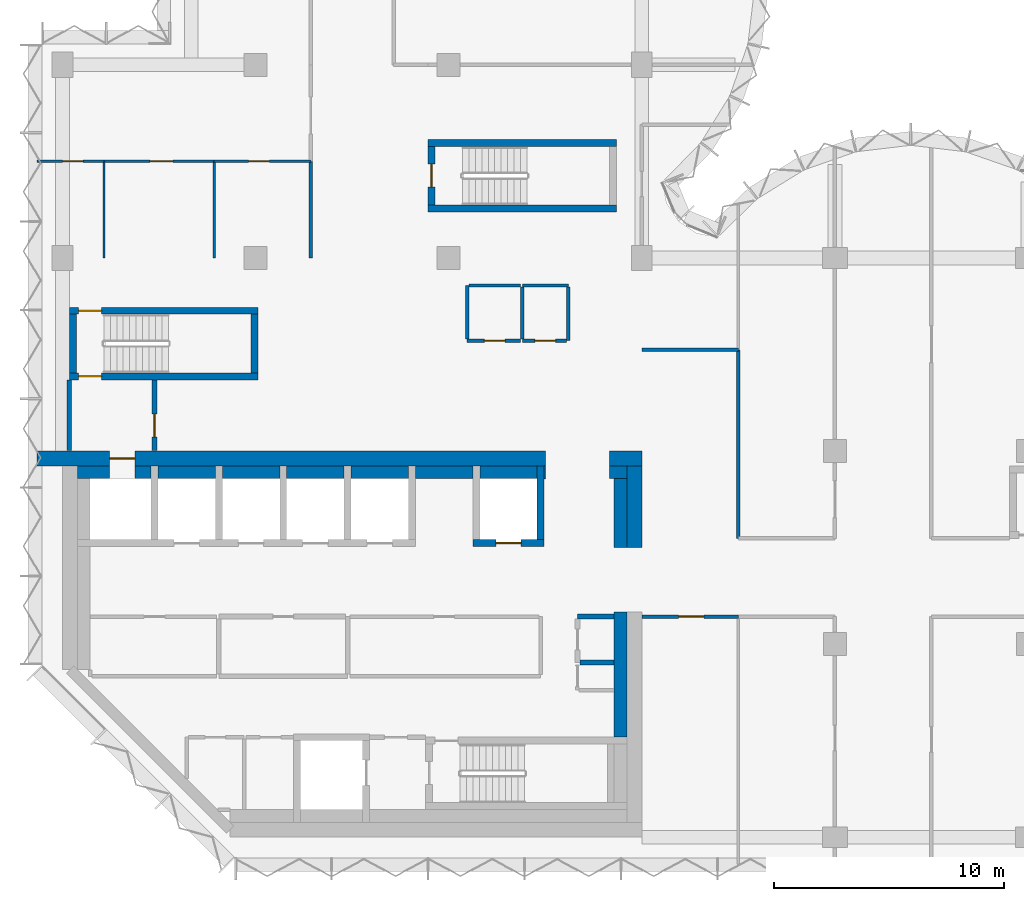
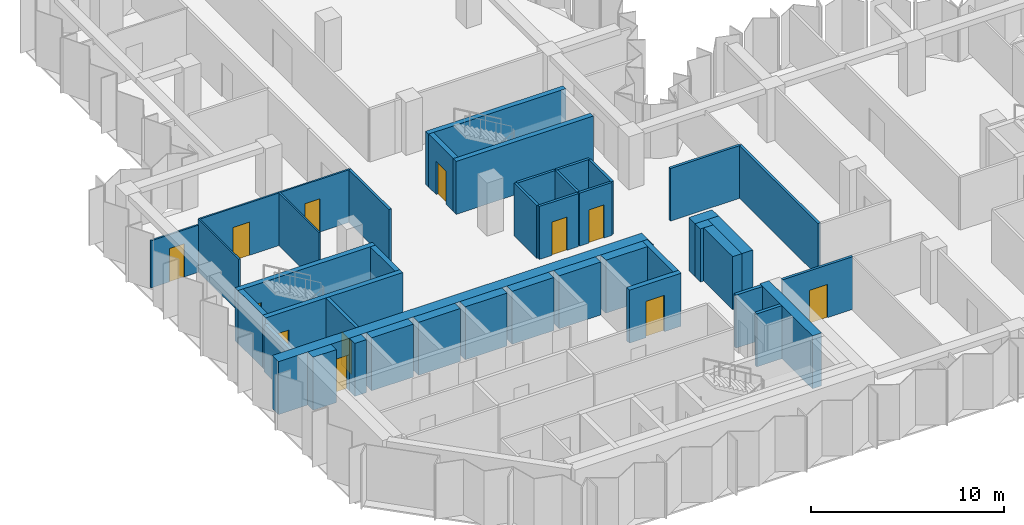
# One storey, part 6 of 10: 44 walls, 12 doors, 12 openings.
"""IFC4 building model written with IfcOpenShell, lengths in metres."""

from ifc_helpers import new_model, si_unit, direction, frame, frame_2d, origin, place, context, subcontext, project, spatial, rectangle, extrude, material, layer, layer_set, type_object, element, fill, save


model = new_model("IFC4")

# Units and contexts
model_context = context("Model", 3, precision=1e-05, world=origin(), true_north=direction((0.0, 1.0)))
body_context = subcontext(model_context, "Body", "Model", "MODEL_VIEW")
ifc_project = project(units=[si_unit("LENGTHUNIT", "METRE"), si_unit("AREAUNIT", "SQUARE_METRE"), si_unit("VOLUMEUNIT", "CUBIC_METRE"), si_unit("PLANEANGLEUNIT", "RADIAN"), si_unit("MASSUNIT", "GRAM", prefix="KILO")], contexts=[model_context])

# Site, building, storey
site_placement = place(None, origin())
site = spatial("IfcSite", under=ifc_project, at=site_placement, CompositionType="ELEMENT")
building_placement = place(site_placement, origin())
building = spatial("IfcBuilding", under=site, at=building_placement, Name="Brevane Broadcast Tower", CompositionType="ELEMENT")
storey_placement = place(building_placement, frame((0.0, 0.0, 166.800048828125)))
storey = spatial("IfcBuildingStorey", under=building, at=storey_placement, Name="L41", CompositionType="ELEMENT", Elevation=166.800048828125)

# Walls
ifc_material_1 = material(Name="Concrete C32/40", Category="concrete")
ifc_layer_1 = layer(ifc_material_1, 0.550048828125)
ifc_layer_set_1 = layer_set([ifc_layer_1], Name="Core chase wall 550 mm")
wall_type_1 = type_object("IfcWallType", Name="Core chase wall 550 mm", PredefinedType="PARTITIONING", material=ifc_layer_set_1)
wall_1_placement = place(storey_placement, frame((24.27490234375, 12.60009765625, 0.0), z_axis=(0.0, 0.0, 1.0), x_axis=(0.0, 1.0, 0.0)))
element("IfcWall", 1, at=wall_1_placement, inside=storey, type_object=wall_type_1, Name="L41 chase wall LE2", PredefinedType="PARTITIONING", context=body_context, shape_type="SweptSolid", body=[
    extrude(rectangle(XDim=3.0, YDim=0.550048828125, at=frame_2d((1.5, 0.0))), origin(), (0.0, 0.0, 1.0), 3.349853515625),
])
wall_2_placement = place(storey_placement, frame((0.64990234375, 15.875, 0.0), z_axis=(0.0, 0.0, 1.0), x_axis=(1.0, 0.0, 0.0)))
element("IfcWall", 2, at=wall_2_placement, inside=storey, type_object=wall_type_1, Name="L41 chase wall LN0", PredefinedType="PARTITIONING", context=body_context, shape_type="SweptSolid", body=[
    extrude(rectangle(XDim=1.400146484375, YDim=0.550048828125, at=frame_2d((0.7001953125, 0.0))), origin(), (0.0, 0.0, 1.0), 3.349853515625),
])
wall_3_placement = place(storey_placement, frame((23.800048828125, 15.875, 0.0), z_axis=(0.0, 0.0, 1.0), x_axis=(1.0, 0.0, 0.0)))
element("IfcWall", 3, at=wall_3_placement, inside=storey, type_object=wall_type_1, Name="L41 chase wall LN2", PredefinedType="PARTITIONING", context=body_context, shape_type="SweptSolid", body=[
    extrude(rectangle(XDim=0.75, YDim=0.550048828125, at=frame_2d((0.375, 0.0))), origin(), (0.0, 0.0, 1.0), 3.349853515625),
])
wall_4_placement = place(storey_placement, frame((3.14990234375, 15.875, 0.0), z_axis=(0.0, 0.0, 1.0), x_axis=(1.0, 0.0, 0.0)))
element("IfcWall", 4, at=wall_4_placement, inside=storey, type_object=wall_type_1, Name="L41 chase wall LN1-1", PredefinedType="PARTITIONING", context=body_context, shape_type="SweptSolid", body=[
    extrude(rectangle(XDim=0.7001953125, YDim=0.550048828125, at=frame_2d((0.35009765625, 0.0))), origin(), (0.0, 0.0, 1.0), 3.349853515625),
])
for number, where, z_axis, x_axis, name in (
    (5, (4.14990234375, 15.875, 0.0), (0.0, 0.0, 1.0), (1.0, 0.0, 0.0), "L41 chase wall LN1-2-1"),
    (6, (6.949951171875, 15.875, 0.0), (0.0, 0.0, 1.0), (1.0, 0.0, 0.0), "L41 chase wall LN1-2-2-1"),
    (7, (9.75, 15.875, 0.0), (0.0, 0.0, 1.0), (1.0, 0.0, 0.0), "L41 chase wall LN1-2-2-2-1"),
    (8, (12.550048828125, 15.875, 0.0), (0.0, 0.0, 1.0), (1.0, 0.0, 0.0), "L41 chase wall LN1-2-2-2-2-1"),
    (9, (15.35009765625, 15.875, 0.0), (0.0, 0.0, 1.0), (1.0, 0.0, 0.0), "L41 chase wall LN1-2-2-2-2-2-1"),
    (10, (18.14990234375, 15.875, 0.0), (0.0, 0.0, 1.0), (1.0, 0.0, 0.0), "L41 chase wall LN1-2-2-2-2-2-2-1"),
):
    element("IfcWall", number, at=place(storey_placement, frame(where, z_axis=z_axis, x_axis=x_axis)), inside=storey, type_object=wall_type_1, Name=name, PredefinedType="PARTITIONING", context=body_context, shape_type="SweptSolid", body=[
        extrude(rectangle(XDim=2.5, YDim=0.550048828125, at=frame_2d((1.25, 0.0))), origin(), (0.0, 0.0, 1.0), 3.349853515625),
    ])
wall_5_placement = place(storey_placement, frame((20.949951171875, 15.875, 0.0), z_axis=(0.0, 0.0, 1.0), x_axis=(1.0, 0.0, 0.0)))
element("IfcWall", 11, at=wall_5_placement, inside=storey, type_object=wall_type_1, Name="L41 chase wall LN1-2-2-2-2-2-2-2", PredefinedType="PARTITIONING", context=body_context, shape_type="SweptSolid", body=[
    extrude(rectangle(XDim=0.050048828125, YDim=0.550048828125, at=frame_2d((0.02490234375, 0.0))), origin(), (0.0, 0.0, 1.0), 3.349853515625),
])
wall_6_placement = place(storey_placement, frame((24.27490234375, 4.35009765625, 0.0), z_axis=(0.0, 0.0, 1.0), x_axis=(0.0, 1.0, 0.0)))
element("IfcWall", 12, at=wall_6_placement, inside=storey, type_object=wall_type_1, Name="L41 chase wall LE1-2-2", PredefinedType="PARTITIONING", context=body_context, shape_type="SweptSolid", body=[
    extrude(rectangle(XDim=5.449951171875, YDim=0.550048828125, at=frame_2d((2.72509765625, 0.0))), origin(), (0.0, 0.0, 1.0), 3.349853515625),
])
ifc_material_2 = material(Name="Gypsum board on steel studs", Category="steel")
ifc_layer_2 = layer(ifc_material_2, 0.14990234375)
ifc_layer_set_2 = layer_set([ifc_layer_2], Name="Core fire partition 150 mm")
wall_type_2 = type_object("IfcWallType", Name="Core fire partition 150 mm", PredefinedType="PARTITIONING", material=ifc_layer_set_2)
wall_7_placement = place(storey_placement, frame((20.0, 24.0, 0.0), z_axis=(0.0, 0.0, 1.0), x_axis=(1.0, 0.0, 0.0)))
element("IfcWall", 13, at=wall_7_placement, inside=storey, type_object=wall_type_2, Name="L41 partition wall P22", PredefinedType="PARTITIONING", context=body_context, shape_type="SweptSolid", body=[
    extrude(rectangle(XDim=2.0, YDim=0.14990234375, at=frame_2d((1.0, 0.0))), origin(), (0.0, 0.0, 1.0), 3.349853515625),
])
wall_8_placement = place(storey_placement, frame((22.0, 23.925048828125, 0.0), z_axis=(0.0, 0.0, 1.0), x_axis=(0.0, -1.0, 0.0)))
element("IfcWall", 14, at=wall_8_placement, inside=storey, type_object=wall_type_2, Name="L41 partition wall P23", PredefinedType="PARTITIONING", context=body_context, shape_type="SweptSolid", body=[
    extrude(rectangle(XDim=2.324951171875, YDim=0.14990234375, at=frame_2d((1.16259765625, 0.0))), origin(), (0.0, 0.0, 1.0), 3.349853515625),
])

# Wall, opening, door
wall_9_placement = place(storey_placement, frame((21.925048828125, 21.60009765625, 0.0), z_axis=(0.0, 0.0, 1.0), x_axis=(-1.0, 0.0, 0.0)))
wall_9 = element("IfcWall", 15, at=wall_9_placement, inside=storey, type_object=wall_type_2, Name="L41 partition wall P24", PredefinedType="PARTITIONING", context=body_context, shape_type="SweptSolid", body=[
    extrude(rectangle(XDim=1.925048828125, YDim=0.14990234375, at=frame_2d((0.96240234375, 0.0))), origin(), (0.0, 0.0, 1.0), 3.349853515625),
])
opening_1_placement = place(wall_9_placement, frame((0.47509765625, 0.0, 0.0)))
opening_1 = element("IfcOpeningElement", 16, at=opening_1_placement, cuts=wall_9, Name="Opening L41-K23", PredefinedType="OPENING", context=body_context, shape_type="SweptSolid", body=[
    extrude(rectangle(XDim=0.89990234375, YDim=2.10009765625, at=frame_2d((0.449951171875, 1.050048828125))), frame((0.0, 0.0849609375, 0.0), z_axis=(0.0, -1.0, 0.0), x_axis=(1.0, 0.0, 0.0)), (0.0, 0.0, 1.0), 0.169921875),
])
ifc_material_3 = material(Name="Timber", Category="wood")
door_type_1 = type_object("IfcDoorType", Name="Toilet door 900 x 2100", OperationType="SINGLE_SWING_LEFT", PredefinedType="DOOR", material=ifc_material_3)
door_1_placement = place(opening_1_placement, origin())
door_1 = element("IfcDoor", 17, at=door_1_placement, inside=storey, type_object=door_type_1, Name="Door L41-K23", OperationType="SINGLE_SWING_LEFT", OverallHeight=2.10009765625, OverallWidth=0.89990234375, PredefinedType="DOOR", context=body_context, shape_type="SweptSolid", body=[
    extrude(rectangle(XDim=0.89990234375, YDim=2.10009765625, at=frame_2d((0.449951171875, 1.050048828125))), frame((0.0, 0.02490234375, 0.0), z_axis=(0.0, -1.0, 0.0), x_axis=(1.0, 0.0, 0.0)), (0.0, 0.0, 1.0), 0.050048828125),
])
fill(opening_1, door_1)

# Wall
wall_10_placement = place(storey_placement, frame((20.0, 21.675048828125, 0.0), z_axis=(0.0, 0.0, 1.0), x_axis=(0.0, 1.0, 0.0)))
element("IfcWall", 18, at=wall_10_placement, inside=storey, type_object=wall_type_2, Name="L41 partition wall P25", PredefinedType="PARTITIONING", context=body_context, shape_type="SweptSolid", body=[
    extrude(rectangle(XDim=2.25, YDim=0.14990234375, at=frame_2d((1.125, 0.0))), origin(), (0.0, 0.0, 1.0), 3.349853515625),
])

# Wall, opening, door
wall_11_placement = place(storey_placement, frame((19.925048828125, 21.60009765625, 0.0), z_axis=(0.0, 0.0, 1.0), x_axis=(-1.0, 0.0, 0.0)))
wall_11 = element("IfcWall", 19, at=wall_11_placement, inside=storey, type_object=wall_type_2, Name="L41 partition wall P26", PredefinedType="PARTITIONING", context=body_context, shape_type="SweptSolid", body=[
    extrude(rectangle(XDim=2.324951171875, YDim=0.14990234375, at=frame_2d((1.16259765625, 0.0))), origin(), (0.0, 0.0, 1.0), 3.349853515625),
])
opening_2_placement = place(wall_11_placement, frame((0.675048828125, 0.0, 0.0)))
opening_2 = element("IfcOpeningElement", 20, at=opening_2_placement, cuts=wall_11, Name="Opening L41-K24", PredefinedType="OPENING", context=body_context, shape_type="SweptSolid", body=[
    extrude(rectangle(XDim=0.89990234375, YDim=2.10009765625, at=frame_2d((0.449951171875, 1.050048828125))), frame((0.0, 0.0849609375, 0.0), z_axis=(0.0, -1.0, 0.0), x_axis=(1.0, 0.0, 0.0)), (0.0, 0.0, 1.0), 0.169921875),
])
ifc_material_4 = material(Name="Steel", Category="steel")
door_type_2 = type_object("IfcDoorType", Name="Service room door 900 x 2100", OperationType="SINGLE_SWING_LEFT", PredefinedType="DOOR", material=ifc_material_4)
door_2_placement = place(opening_2_placement, origin())
door_2 = element("IfcDoor", 21, at=door_2_placement, inside=storey, type_object=door_type_2, Name="Door L41-K24", OperationType="SINGLE_SWING_RIGHT", OverallHeight=2.10009765625, OverallWidth=0.89990234375, PredefinedType="DOOR", context=body_context, shape_type="SweptSolid", body=[
    extrude(rectangle(XDim=0.89990234375, YDim=2.10009765625, at=frame_2d((0.449951171875, 1.050048828125))), frame((0.0, 0.02490234375, 0.0), z_axis=(0.0, -1.0, 0.0), x_axis=(1.0, 0.0, 0.0)), (0.0, 0.0, 1.0), 0.050048828125),
])
fill(opening_2, door_2)

# Walls
wall_12_placement = place(storey_placement, frame((17.60009765625, 21.675048828125, 0.0), z_axis=(0.0, 0.0, 1.0), x_axis=(0.0, 1.0, 0.0)))
element("IfcWall", 22, at=wall_12_placement, inside=storey, type_object=wall_type_2, Name="L41 partition wall P27", PredefinedType="PARTITIONING", context=body_context, shape_type="SweptSolid", body=[
    extrude(rectangle(XDim=2.324951171875, YDim=0.14990234375, at=frame_2d((1.16259765625, 0.0))), origin(), (0.0, 0.0, 1.0), 3.349853515625),
])
wall_13_placement = place(storey_placement, frame((17.675048828125, 24.0, 0.0), z_axis=(0.0, 0.0, 1.0), x_axis=(1.0, 0.0, 0.0)))
element("IfcWall", 23, at=wall_13_placement, inside=storey, type_object=wall_type_2, Name="L41 partition wall P28", PredefinedType="PARTITIONING", context=body_context, shape_type="SweptSolid", body=[
    extrude(rectangle(XDim=2.25, YDim=0.14990234375, at=frame_2d((1.125, 0.0))), origin(), (0.0, 0.0, 1.0), 3.349853515625),
])
ifc_layer_3 = layer(ifc_material_2, 0.199951171875)
ifc_layer_set_3 = layer_set([ifc_layer_3], Name="Core fire partition 200 mm")
wall_type_3 = type_object("IfcWallType", Name="Core fire partition 200 mm", PredefinedType="PARTITIONING", material=ifc_layer_set_3)
wall_14_placement = place(storey_placement, frame((0.300048828125, 16.81201171875, 0.0), z_axis=(0.0, 0.0, 1.0), x_axis=(0.0, 1.0, 0.0)))
element("IfcWall", 24, at=wall_14_placement, inside=storey, type_object=wall_type_3, Name="L41 partition wall P01", PredefinedType="PARTITIONING", context=body_context, shape_type="SweptSolid", body=[
    extrude(rectangle(XDim=3.075927734375, YDim=0.199951171875, at=frame_2d((1.5380859375, 0.0))), origin(), (0.0, 0.0, 1.0), 2.97998046875),
])

# Wall, opening, door
wall_15_placement = place(storey_placement, frame((4.0, 19.887939453125, 0.0), z_axis=(0.0, 0.0, 1.0), x_axis=(0.0, -1.0, 0.0)))
wall_15 = element("IfcWall", 25, at=wall_15_placement, inside=storey, type_object=wall_type_3, Name="L41 partition wall P02", PredefinedType="PARTITIONING", context=body_context, shape_type="SweptSolid", body=[
    extrude(rectangle(XDim=3.075927734375, YDim=0.199951171875, at=frame_2d((1.5380859375, 0.0))), origin(), (0.0, 0.0, 1.0), 3.349853515625),
])
opening_3_placement = place(wall_15_placement, frame((1.488037109375, 0.0, 0.0)))
opening_3 = element("IfcOpeningElement", 26, at=opening_3_placement, cuts=wall_15, Name="Opening L41-K22", PredefinedType="OPENING", context=body_context, shape_type="SweptSolid", body=[
    extrude(rectangle(XDim=1.0, YDim=2.10009765625, at=frame_2d((0.5, 1.050048828125))), frame((0.0, 0.10986328125, 0.0), z_axis=(0.0, -1.0, 0.0), x_axis=(1.0, 0.0, 0.0)), (0.0, 0.0, 1.0), 0.219970703125),
])
door_type_3 = type_object("IfcDoorType", Name="Stair door 1000 x 2100", OperationType="SINGLE_SWING_LEFT", PredefinedType="DOOR", material=ifc_material_4)
door_3_placement = place(opening_3_placement, origin())
door_3 = element("IfcDoor", 27, at=door_3_placement, inside=storey, type_object=door_type_3, Name="Door L41-K22", OperationType="SINGLE_SWING_RIGHT", OverallHeight=2.10009765625, OverallWidth=1.0, PredefinedType="DOOR", context=body_context, shape_type="SweptSolid", body=[
    extrude(rectangle(XDim=1.0, YDim=2.10009765625, at=frame_2d((0.5, 1.050048828125))), frame((0.0, 0.02490234375, 0.0), z_axis=(0.0, -1.0, 0.0), x_axis=(1.0, 0.0, 0.0)), (0.0, 0.0, 1.0), 0.050048828125),
])
fill(opening_3, door_3)

# Walls
wall_16_placement = place(storey_placement, frame((23.988037109375, 9.60009765625, 0.0), z_axis=(0.0, 0.0, 1.0), x_axis=(-1.0, 0.0, 0.0)))
element("IfcWall", 28, at=wall_16_placement, inside=storey, type_object=wall_type_3, Name="L41 partition wall P04", PredefinedType="PARTITIONING", context=body_context, shape_type="SweptSolid", body=[
    extrude(rectangle(XDim=1.588134765625, YDim=0.199951171875, at=frame_2d((0.7939453125, 0.0))), origin(), (0.0, 0.0, 1.0), 3.349853515625),
])
wall_17_placement = place(storey_placement, frame((22.5, 7.60009765625, 0.0), z_axis=(0.0, 0.0, 1.0), x_axis=(1.0, 0.0, 0.0)))
element("IfcWall", 29, at=wall_17_placement, inside=storey, type_object=wall_type_3, Name="L41 partition wall P06", PredefinedType="PARTITIONING", context=body_context, shape_type="SweptSolid", body=[
    extrude(rectangle(XDim=1.488037109375, YDim=0.199951171875, at=frame_2d((0.744140625, 0.0))), origin(), (0.0, 0.0, 1.0), 3.349853515625),
])

# Wall, opening, door
ifc_material_5 = material(Name="Concrete C60/75", Category="concrete")
ifc_layer_4 = layer(ifc_material_5, 0.300048828125)
ifc_layer_set_4 = layer_set([ifc_layer_4], Name="Core wall 300 mm C60/75")
wall_type_4 = type_object("IfcWallType", Name="Core wall 300 mm C60/75", PredefinedType="SHEAR", material=ifc_layer_set_4)
wall_18_placement = place(storey_placement, frame((17.85009765625, 12.800048828125, 0.0), z_axis=(0.0, 0.0, 1.0), x_axis=(1.0, 0.0, 0.0)))
wall_18 = element("IfcWall", 30, at=wall_18_placement, inside=storey, type_object=wall_type_4, Name="L41 shaft wall SH-N180-front", PredefinedType="SHEAR", context=body_context, shape_type="SweptSolid", body=[
    extrude(rectangle(XDim=3.099853515625, YDim=0.300048828125, at=frame_2d((1.5498046875, 0.0))), origin(), (0.0, 0.0, 1.0), 3.349853515625),
])
opening_4_placement = place(wall_18_placement, frame((1.0, 0.0, 0.0)))
opening_4 = element("IfcOpeningElement", 31, at=opening_4_placement, cuts=wall_18, Name="Opening LD", PredefinedType="OPENING", context=body_context, shape_type="SweptSolid", body=[
    extrude(rectangle(XDim=1.10009765625, YDim=2.300048828125, at=frame_2d((0.550048828125, 1.14990234375))), frame((0.0, 0.159912109375, 0.0), z_axis=(0.0, -1.0, 0.0), x_axis=(1.0, 0.0, 0.0)), (0.0, 0.0, 1.0), 0.320068359375),
])
ifc_material_6 = material(Name="Stainless steel", Category="steel")
door_type_4 = type_object("IfcDoorType", Name="Lift landing door", OperationType="SLIDING_TO_LEFT", PredefinedType="DOOR", material=ifc_material_6)
door_4_placement = place(opening_4_placement, origin())
door_4 = element("IfcDoor", 32, at=door_4_placement, inside=storey, type_object=door_type_4, Name="Landing door SL1 L41", OperationType="SLIDING_TO_LEFT", OverallHeight=2.300048828125, OverallWidth=1.10009765625, PredefinedType="DOOR", context=body_context, shape_type="SweptSolid", body=[
    extrude(rectangle(XDim=1.10009765625, YDim=2.300048828125, at=frame_2d((0.550048828125, 1.14990234375))), frame((0.0, 0.02490234375, 0.0), z_axis=(0.0, -1.0, 0.0), x_axis=(1.0, 0.0, 0.0)), (0.0, 0.0, 1.0), 0.050048828125),
])
fill(opening_4, door_4)

# Wall
wall_19_placement = place(storey_placement, frame((20.800048828125, 12.949951171875, 0.0), z_axis=(0.0, 0.0, 1.0), x_axis=(0.0, 1.0, 0.0)))
element("IfcWall", 33, at=wall_19_placement, inside=storey, type_object=wall_type_4, Name="L41 shaft wall SH-N-P208", PredefinedType="SHEAR", context=body_context, shape_type="SweptSolid", body=[
    extrude(rectangle(XDim=3.199951171875, YDim=0.300048828125, at=frame_2d((1.60009765625, 0.0))), origin(), (0.0, 0.0, 1.0), 3.349853515625),
])

# Wall, opening, door
wall_20_placement = place(storey_placement, frame((8.5, 20.050048828125, 0.0), z_axis=(0.0, 0.0, 1.0), x_axis=(-1.0, 0.0, 0.0)))
wall_20 = element("IfcWall", 34, at=wall_20_placement, inside=storey, type_object=wall_type_4, Name="L41 stair wall ST-1-S", PredefinedType="SHEAR", context=body_context, shape_type="SweptSolid", body=[
    extrude(rectangle(XDim=8.199951171875, YDim=0.300048828125, at=frame_2d((4.10009765625, 0.0))), origin(), (0.0, 0.0, 1.0), 3.349853515625),
])
opening_5_placement = place(wall_20_placement, frame((6.800048828125, 0.0, 0.0)))
opening_5 = element("IfcOpeningElement", 35, at=opening_5_placement, cuts=wall_20, Name="Opening L41-K08", PredefinedType="OPENING", context=body_context, shape_type="SweptSolid", body=[
    extrude(rectangle(XDim=1.0, YDim=2.10009765625, at=frame_2d((0.5, 1.050048828125))), frame((0.0, 0.159912109375, 0.0), z_axis=(0.0, -1.0, 0.0), x_axis=(1.0, 0.0, 0.0)), (0.0, 0.0, 1.0), 0.320068359375),
])
door_5_placement = place(opening_5_placement, origin())
door_5 = element("IfcDoor", 36, at=door_5_placement, inside=storey, type_object=door_type_3, Name="Door L41-K08", OperationType="SINGLE_SWING_RIGHT", OverallHeight=2.10009765625, OverallWidth=1.0, PredefinedType="DOOR", context=body_context, shape_type="SweptSolid", body=[
    extrude(rectangle(XDim=1.0, YDim=2.10009765625, at=frame_2d((0.5, 1.050048828125))), frame((0.0, 0.02490234375, 0.0), z_axis=(0.0, -1.0, 0.0), x_axis=(1.0, 0.0, 0.0)), (0.0, 0.0, 1.0), 0.050048828125),
])
fill(opening_5, door_5)

wall_21_placement = place(storey_placement, frame((0.300048828125, 22.89990234375, 0.0), z_axis=(0.0, 0.0, 1.0), x_axis=(1.0, 0.0, 0.0)))
wall_21 = element("IfcWall", 37, at=wall_21_placement, inside=storey, type_object=wall_type_4, Name="L41 stair wall ST-1-N", PredefinedType="SHEAR", context=body_context, shape_type="SweptSolid", body=[
    extrude(rectangle(XDim=8.199951171875, YDim=0.300048828125, at=frame_2d((4.10009765625, 0.0))), origin(), (0.0, 0.0, 1.0), 3.349853515625),
])
opening_6_placement = place(wall_21_placement, frame((0.39990234375, 0.0, 0.0)))
opening_6 = element("IfcOpeningElement", 38, at=opening_6_placement, cuts=wall_21, Name="Opening L41-K09", PredefinedType="OPENING", context=body_context, shape_type="SweptSolid", body=[
    extrude(rectangle(XDim=1.0, YDim=2.10009765625, at=frame_2d((0.5, 1.050048828125))), frame((0.0, 0.159912109375, 0.0), z_axis=(0.0, -1.0, 0.0), x_axis=(1.0, 0.0, 0.0)), (0.0, 0.0, 1.0), 0.320068359375),
])
door_6_placement = place(opening_6_placement, origin())
door_6 = element("IfcDoor", 39, at=door_6_placement, inside=storey, type_object=door_type_3, Name="Door L41-K09", OperationType="SINGLE_SWING_LEFT", OverallHeight=2.10009765625, OverallWidth=1.0, PredefinedType="DOOR", context=body_context, shape_type="SweptSolid", body=[
    extrude(rectangle(XDim=1.0, YDim=2.10009765625, at=frame_2d((0.5, 1.050048828125))), frame((0.0, 0.02490234375, 0.0), z_axis=(0.0, -1.0, 0.0), x_axis=(1.0, 0.0, 0.0)), (0.0, 0.0, 1.0), 0.050048828125),
])
fill(opening_6, door_6)

# Walls
for number, where, z_axis, x_axis, name in (
    (40, (0.449951171875, 20.199951171875, 0.0), (0.0, 0.0, 1.0), (0.0, 1.0, 0.0), "L41 stair wall ST-1-W"),
    (41, (8.35009765625, 20.199951171875, 0.0), (0.0, 0.0, 1.0), (0.0, 1.0, 0.0), "L41 stair wall ST-1-E"),
):
    element("IfcWall", number, at=place(storey_placement, frame(where, z_axis=z_axis, x_axis=x_axis)), inside=storey, type_object=wall_type_4, Name=name, PredefinedType="SHEAR", context=body_context, shape_type="SweptSolid", body=[
        extrude(rectangle(XDim=2.550048828125, YDim=0.300048828125, at=frame_2d((1.27490234375, 0.0))), origin(), (0.0, 0.0, 1.0), 3.349853515625),
    ])
for number, where, z_axis, x_axis, name in (
    (42, (15.89990234375, 27.35009765625, 0.0), (0.0, 0.0, 1.0), (1.0, 0.0, 0.0), "L41 stair wall ST-3-S"),
    (43, (15.89990234375, 30.199951171875, 0.0), (0.0, 0.0, 1.0), (1.0, 0.0, 0.0), "L41 stair wall ST-3-N"),
):
    element("IfcWall", number, at=place(storey_placement, frame(where, z_axis=z_axis, x_axis=x_axis)), inside=storey, type_object=wall_type_4, Name=name, PredefinedType="SHEAR", context=body_context, shape_type="SweptSolid", body=[
        extrude(rectangle(XDim=8.2001953125, YDim=0.300048828125, at=frame_2d((4.10009765625, 0.0))), origin(), (0.0, 0.0, 1.0), 3.349853515625),
    ])

# Wall, opening, door
wall_22_placement = place(storey_placement, frame((16.050048828125, 27.5, 0.0), z_axis=(0.0, 0.0, 1.0), x_axis=(0.0, 1.0, 0.0)))
wall_22 = element("IfcWall", 44, at=wall_22_placement, inside=storey, type_object=wall_type_4, Name="L41 stair wall ST-3-W", PredefinedType="SHEAR", context=body_context, shape_type="SweptSolid", body=[
    extrude(rectangle(XDim=2.550048828125, YDim=0.300048828125, at=frame_2d((1.27490234375, 0.0))), origin(), (0.0, 0.0, 1.0), 3.349853515625),
])
opening_7_placement = place(wall_22_placement, frame((0.77490234375, 0.0, 0.0)))
opening_7 = element("IfcOpeningElement", 45, at=opening_7_placement, cuts=wall_22, Name="Opening L41-K12", PredefinedType="OPENING", context=body_context, shape_type="SweptSolid", body=[
    extrude(rectangle(XDim=1.0, YDim=2.10009765625, at=frame_2d((0.5, 1.050048828125))), frame((0.0, 0.159912109375, 0.0), z_axis=(0.0, -1.0, 0.0), x_axis=(1.0, 0.0, 0.0)), (0.0, 0.0, 1.0), 0.320068359375),
])
door_7_placement = place(opening_7_placement, origin())
door_7 = element("IfcDoor", 46, at=door_7_placement, inside=storey, type_object=door_type_3, Name="Door L41-K12", OperationType="SINGLE_SWING_RIGHT", OverallHeight=2.10009765625, OverallWidth=1.0, PredefinedType="DOOR", context=body_context, shape_type="SweptSolid", body=[
    extrude(rectangle(XDim=1.0, YDim=2.10009765625, at=frame_2d((0.5, 1.050048828125))), frame((0.0, 0.02490234375, 0.0), z_axis=(0.0, -1.0, 0.0), x_axis=(1.0, 0.0, 0.0)), (0.0, 0.0, 1.0), 0.050048828125),
])
fill(opening_7, door_7)

ifc_layer_5 = layer(ifc_material_5, 0.64990234375)
ifc_layer_set_5 = layer_set([ifc_layer_5], Name="Core wall 650 mm C60/75")
wall_type_5 = type_object("IfcWallType", Name="Core wall 650 mm C60/75", PredefinedType="SHEAR", material=ifc_layer_set_5)
wall_23_placement = place(storey_placement, frame((-1.10009765625, 16.47509765625, 0.0), z_axis=(0.0, 0.0, 1.0), x_axis=(1.0, 0.0, 0.0)))
wall_23 = element("IfcWall", 47, at=wall_23_placement, inside=storey, type_object=wall_type_5, Name="L41 outer wall WN1", PredefinedType="SHEAR", context=body_context, shape_type="SweptSolid", body=[
    extrude(rectangle(XDim=22.10009765625, YDim=0.64990234375, at=frame_2d((11.050048828125, 0.0))), origin(), (0.0, 0.0, 1.0), 3.349853515625),
])
opening_8_placement = place(wall_23_placement, frame((3.14990234375, 0.0, 0.0)))
opening_8 = element("IfcOpeningElement", 48, at=opening_8_placement, cuts=wall_23, Name="Opening LD", PredefinedType="OPENING", context=body_context, shape_type="SweptSolid", body=[
    extrude(rectangle(XDim=1.10009765625, YDim=2.300048828125, at=frame_2d((0.550048828125, 1.14990234375))), frame((0.0, 0.3349609375, 0.0), z_axis=(0.0, -1.0, 0.0), x_axis=(1.0, 0.0, 0.0)), (0.0, 0.0, 1.0), 0.669921875),
])
door_8_placement = place(opening_8_placement, origin())
door_8 = element("IfcDoor", 49, at=door_8_placement, inside=storey, type_object=door_type_4, Name="Landing door FF1 L41", OperationType="SLIDING_TO_LEFT", OverallHeight=2.300048828125, OverallWidth=1.10009765625, PredefinedType="DOOR", context=body_context, shape_type="SweptSolid", body=[
    extrude(rectangle(XDim=1.10009765625, YDim=2.300048828125, at=frame_2d((0.550048828125, 1.14990234375))), frame((0.0, 0.02490234375, 0.0), z_axis=(0.0, -1.0, 0.0), x_axis=(1.0, 0.0, 0.0)), (0.0, 0.0, 1.0), 0.050048828125),
])
fill(opening_8, door_8)

# Walls
wall_24_placement = place(storey_placement, frame((23.800048828125, 16.47509765625, 0.0), z_axis=(0.0, 0.0, 1.0), x_axis=(1.0, 0.0, 0.0)))
element("IfcWall", 50, at=wall_24_placement, inside=storey, type_object=wall_type_5, Name="L41 outer wall WN2", PredefinedType="SHEAR", context=body_context, shape_type="SweptSolid", body=[
    extrude(rectangle(XDim=1.39990234375, YDim=0.64990234375, at=frame_2d((0.699951171875, 0.0))), origin(), (0.0, 0.0, 1.0), 3.349853515625),
])
wall_25_placement = place(storey_placement, frame((24.875, 12.60009765625, 0.0), z_axis=(0.0, 0.0, 1.0), x_axis=(0.0, 1.0, 0.0)))
element("IfcWall", 51, at=wall_25_placement, inside=storey, type_object=wall_type_5, Name="L41 outer wall WE2", PredefinedType="SHEAR", context=body_context, shape_type="SweptSolid", body=[
    extrude(rectangle(XDim=3.5498046875, YDim=0.64990234375, at=frame_2d((1.77490234375, 0.0))), origin(), (0.0, 0.0, 1.0), 3.349853515625),
])

# Wall, opening, door
ifc_material_7 = material(Name="Gypsum board partition")
ifc_layer_6 = layer(ifc_material_7, 0.10009765625)
ifc_layer_set_6 = layer_set([ifc_layer_6], Name="PARTITION 100 STUD")
wall_type_6 = type_object("IfcWallType", Name="PARTITION 100 STUD", PredefinedType="PARTITIONING", material=ifc_layer_set_6)
wall_26_placement = place(storey_placement, frame((1.800048828125, 29.39990234375, 0.0), z_axis=(0.0, 0.0, 1.0), x_axis=(-1.0, 0.0, 0.0)))
wall_26 = element("IfcWall", 52, at=wall_26_placement, inside=storey, type_object=wall_type_6, Name="Partition G12-048", PredefinedType="PARTITIONING", context=body_context, shape_type="SweptSolid", body=[
    extrude(rectangle(XDim=2.900146484375, YDim=0.10009765625, at=frame_2d((1.4501953125, 0.0))), origin(), (0.0, 0.0, 1.0), 2.97998046875),
])
opening_9_placement = place(wall_26_placement, frame((0.89990234375, 0.0, 0.0)))
opening_9 = element("IfcOpeningElement", 53, at=opening_9_placement, cuts=wall_26, Name="Opening D21-014", PredefinedType="OPENING", context=body_context, shape_type="SweptSolid", body=[
    extrude(rectangle(XDim=0.89990234375, YDim=2.10009765625, at=frame_2d((0.449951171875, 1.050048828125))), frame((0.0, 0.06005859375, 0.0), z_axis=(0.0, -1.0, 0.0), x_axis=(1.0, 0.0, 0.0)), (0.0, 0.0, 1.0), 0.1201171875),
])
ifc_material_8 = material(Name="Timber door leaf", Category="wood")
door_type_5 = type_object("IfcDoorType", Name="DOOR SINGLE 900 INTERNAL", OperationType="SINGLE_SWING_LEFT", PredefinedType="DOOR", material=ifc_material_8)
door_9_placement = place(opening_9_placement, origin())
door_9 = element("IfcDoor", 54, at=door_9_placement, inside=storey, type_object=door_type_5, Name="Door D21-014", OperationType="SINGLE_SWING_LEFT", OverallHeight=2.10009765625, OverallWidth=0.89990234375, PredefinedType="DOOR", context=body_context, shape_type="SweptSolid", body=[
    extrude(rectangle(XDim=0.89990234375, YDim=2.10009765625, at=frame_2d((0.449951171875, 1.050048828125))), frame((0.0, 0.02490234375, 0.0), z_axis=(0.0, -1.0, 0.0), x_axis=(1.0, 0.0, 0.0)), (0.0, 0.0, 1.0), 0.050048828125),
])
fill(opening_9, door_9)

wall_27_placement = place(storey_placement, frame((6.60009765625, 29.39990234375, 0.0), z_axis=(0.0, 0.0, 1.0), x_axis=(-1.0, 0.0, 0.0)))
wall_27 = element("IfcWall", 55, at=wall_27_placement, inside=storey, type_object=wall_type_6, Name="Partition G12-049", PredefinedType="PARTITIONING", context=body_context, shape_type="SweptSolid", body=[
    extrude(rectangle(XDim=4.800048828125, YDim=0.10009765625, at=frame_2d((2.39990234375, 0.0))), origin(), (0.0, 0.0, 1.0), 3.329833984375),
])
opening_10_placement = place(wall_27_placement, frame((1.800048828125, 0.0, 0.0)))
opening_10 = element("IfcOpeningElement", 56, at=opening_10_placement, cuts=wall_27, Name="Opening D21-015", PredefinedType="OPENING", context=body_context, shape_type="SweptSolid", body=[
    extrude(rectangle(XDim=1.0, YDim=2.10009765625, at=frame_2d((0.5, 1.050048828125))), frame((0.0, 0.06005859375, 0.0), z_axis=(0.0, -1.0, 0.0), x_axis=(1.0, 0.0, 0.0)), (0.0, 0.0, 1.0), 0.1201171875),
])
door_type_6 = type_object("IfcDoorType", Name="DOOR SINGLE 1000 INTERNAL", OperationType="SINGLE_SWING_LEFT", PredefinedType="DOOR", material=ifc_material_8)
door_10_placement = place(opening_10_placement, origin())
door_10 = element("IfcDoor", 57, at=door_10_placement, inside=storey, type_object=door_type_6, Name="Door D21-015", OperationType="SINGLE_SWING_LEFT", OverallHeight=2.10009765625, OverallWidth=1.0, PredefinedType="DOOR", context=body_context, shape_type="SweptSolid", body=[
    extrude(rectangle(XDim=1.0, YDim=2.10009765625, at=frame_2d((0.5, 1.050048828125))), frame((0.0, 0.02490234375, 0.0), z_axis=(0.0, -1.0, 0.0), x_axis=(1.0, 0.0, 0.0)), (0.0, 0.0, 1.0), 0.050048828125),
])
fill(opening_10, door_10)

wall_28_placement = place(storey_placement, frame((10.800048828125, 29.39990234375, 0.0), z_axis=(0.0, 0.0, 1.0), x_axis=(-1.0, 0.0, 0.0)))
wall_28 = element("IfcWall", 58, at=wall_28_placement, inside=storey, type_object=wall_type_6, Name="Partition G12-050", PredefinedType="PARTITIONING", context=body_context, shape_type="SweptSolid", body=[
    extrude(rectangle(XDim=4.199951171875, YDim=0.10009765625, at=frame_2d((2.10009765625, 0.0))), origin(), (0.0, 0.0, 1.0), 3.329833984375),
])
opening_11_placement = place(wall_28_placement, frame((1.800048828125, 0.0, 0.0)))
opening_11 = element("IfcOpeningElement", 59, at=opening_11_placement, cuts=wall_28, Name="Opening D21-016", PredefinedType="OPENING", context=body_context, shape_type="SweptSolid", body=[
    extrude(rectangle(XDim=0.89990234375, YDim=2.10009765625, at=frame_2d((0.449951171875, 1.050048828125))), frame((0.0, 0.06005859375, 0.0), z_axis=(0.0, -1.0, 0.0), x_axis=(1.0, 0.0, 0.0)), (0.0, 0.0, 1.0), 0.1201171875),
])
door_11_placement = place(opening_11_placement, origin())
door_11 = element("IfcDoor", 60, at=door_11_placement, inside=storey, type_object=door_type_5, Name="Door D21-016", OperationType="SINGLE_SWING_LEFT", OverallHeight=2.10009765625, OverallWidth=0.89990234375, PredefinedType="DOOR", context=body_context, shape_type="SweptSolid", body=[
    extrude(rectangle(XDim=0.89990234375, YDim=2.10009765625, at=frame_2d((0.449951171875, 1.050048828125))), frame((0.0, 0.02490234375, 0.0), z_axis=(0.0, -1.0, 0.0), x_axis=(1.0, 0.0, 0.0)), (0.0, 0.0, 1.0), 0.050048828125),
])
fill(opening_11, door_11)

# Walls
for number, where, z_axis, x_axis, name in (
    (61, (1.800048828125, 29.39990234375, 0.0), (0.0, 0.0, 1.0), (0.0, -1.0, 0.0), "Partition G12-052"),
    (62, (6.60009765625, 29.39990234375, 0.0), (0.0, 0.0, 1.0), (0.0, -1.0, 0.0), "Partition G12-053"),
):
    element("IfcWall", number, at=place(storey_placement, frame(where, z_axis=z_axis, x_axis=x_axis)), inside=storey, type_object=wall_type_6, Name=name, PredefinedType="PARTITIONING", context=body_context, shape_type="SweptSolid", body=[
        extrude(rectangle(XDim=4.199951171875, YDim=0.10009765625, at=frame_2d((2.10009765625, 0.0))), origin(), (0.0, 0.0, 1.0), 3.329833984375),
    ])
ifc_layer_7 = layer(ifc_material_7, 0.14990234375)
ifc_layer_set_7 = layer_set([ifc_layer_7], Name="PARTITION 150 EI 60")
wall_type_7 = type_object("IfcWallType", Name="PARTITION 150 EI 60", PredefinedType="PARTITIONING", material=ifc_layer_set_7)
wall_29_placement = place(storey_placement, frame((25.199951171875, 21.199951171875, 0.0), z_axis=(0.0, 0.0, 1.0), x_axis=(1.0, 0.0, 0.0)))
element("IfcWall", 63, at=wall_29_placement, inside=storey, type_object=wall_type_7, Name="Partition G12-001", PredefinedType="PARTITIONING", context=body_context, shape_type="SweptSolid", body=[
    extrude(rectangle(XDim=4.199951171875, YDim=0.14990234375, at=frame_2d((2.10009765625, 0.0))), origin(), (0.0, 0.0, 1.0), 3.329833984375),
])

# Wall, opening, door
wall_30_placement = place(storey_placement, frame((29.39990234375, 9.60009765625, 0.0), z_axis=(0.0, 0.0, 1.0), x_axis=(-1.0, 0.0, 0.0)))
wall_30 = element("IfcWall", 64, at=wall_30_placement, inside=storey, type_object=wall_type_7, Name="Partition G12-002", PredefinedType="PARTITIONING", context=body_context, shape_type="SweptSolid", body=[
    extrude(rectangle(XDim=4.199951171875, YDim=0.14990234375, at=frame_2d((2.10009765625, 0.0))), origin(), (0.0, 0.0, 1.0), 3.329833984375),
])
opening_12_placement = place(wall_30_placement, frame((1.5, 0.0, 0.0)))
opening_12 = element("IfcOpeningElement", 65, at=opening_12_placement, cuts=wall_30, Name="Opening D21-003", PredefinedType="OPENING", context=body_context, shape_type="SweptSolid", body=[
    extrude(rectangle(XDim=1.10009765625, YDim=2.10009765625, at=frame_2d((0.550048828125, 1.050048828125))), frame((0.0, 0.0849609375, 0.0), z_axis=(0.0, -1.0, 0.0), x_axis=(1.0, 0.0, 0.0)), (0.0, 0.0, 1.0), 0.169921875),
])
ifc_material_9 = material(Name="Fire-rated timber door leaf", Category="wood")
door_type_7 = type_object("IfcDoorType", Name="DOOR SINGLE 1100 FD30S", OperationType="SINGLE_SWING_LEFT", PredefinedType="DOOR", material=ifc_material_9)
door_12_placement = place(opening_12_placement, origin())
door_12 = element("IfcDoor", 66, at=door_12_placement, inside=storey, type_object=door_type_7, Name="Door D21-003", OperationType="SINGLE_SWING_LEFT", OverallHeight=2.10009765625, OverallWidth=1.10009765625, PredefinedType="DOOR", context=body_context, shape_type="SweptSolid", body=[
    extrude(rectangle(XDim=1.10009765625, YDim=2.10009765625, at=frame_2d((0.550048828125, 1.050048828125))), frame((0.0, 0.02490234375, 0.0), z_axis=(0.0, -1.0, 0.0), x_axis=(1.0, 0.0, 0.0)), (0.0, 0.0, 1.0), 0.050048828125),
])
fill(opening_12, door_12)

# Walls
wall_31_placement = place(storey_placement, frame((29.39990234375, 21.199951171875, 0.0), z_axis=(0.0, 0.0, 1.0), x_axis=(0.0, -1.0, 0.0)))
element("IfcWall", 67, at=wall_31_placement, inside=storey, type_object=wall_type_7, Name="Partition G12-003", PredefinedType="PARTITIONING", context=body_context, shape_type="SweptSolid", body=[
    extrude(rectangle(XDim=8.199951171875, YDim=0.14990234375, at=frame_2d((4.10009765625, 0.0))), origin(), (0.0, 0.0, 1.0), 3.329833984375),
])
wall_32_placement = place(storey_placement, frame((10.800048828125, 25.199951171875, 0.0), z_axis=(0.0, 0.0, 1.0), x_axis=(0.0, 1.0, 0.0)))
element("IfcWall", 68, at=wall_32_placement, inside=storey, type_object=wall_type_7, Name="Partition G12-039", PredefinedType="PARTITIONING", context=body_context, shape_type="SweptSolid", body=[
    extrude(rectangle(XDim=4.199951171875, YDim=0.14990234375, at=frame_2d((2.10009765625, 0.0))), origin(), (0.0, 0.0, 1.0), 3.329833984375),
])

save(model, "model.ifc")
